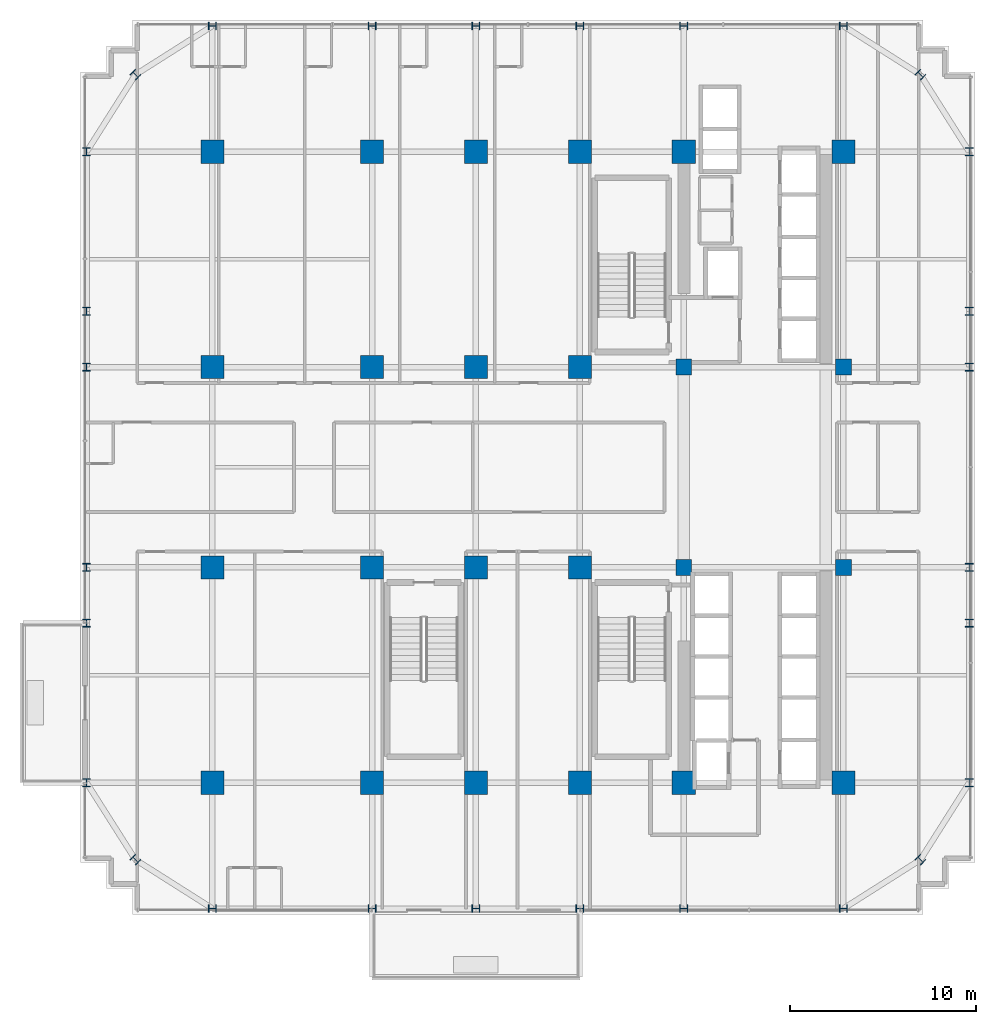
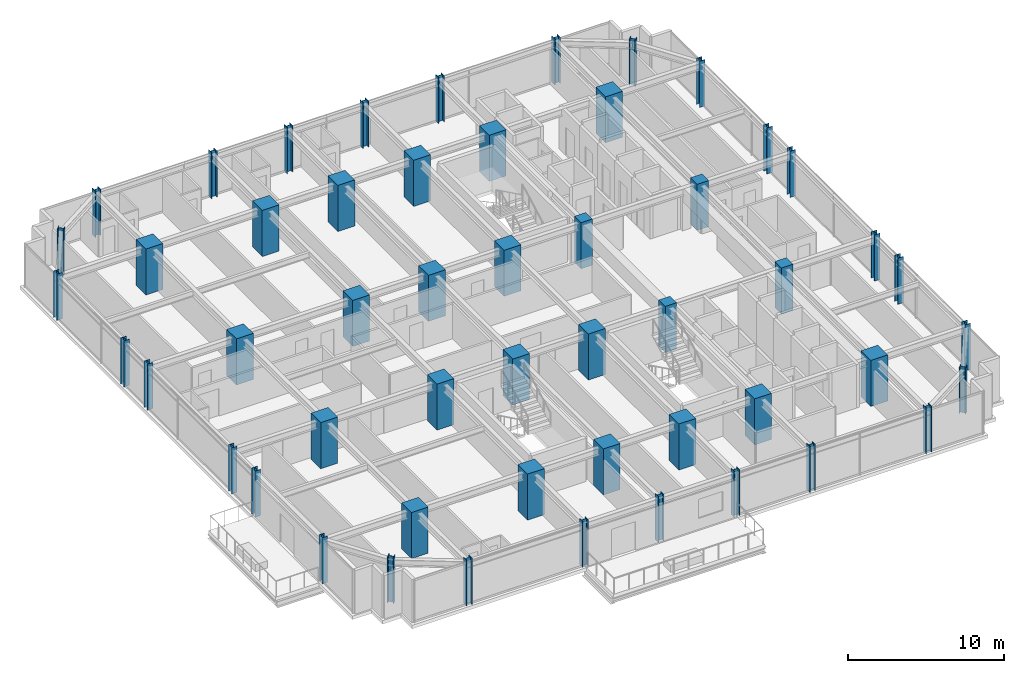
# One storey, part 1 of 31: 52 columns.
"""IFC4 building model written with IfcOpenShell, lengths in metres."""

from ifc_helpers import new_model, si_unit, direction, frame, origin, origin_2d, place, context, subcontext, project, spatial, rectangle, i_section, extrude, source, transform, mapped, material, material_profile, profile_set, type_object, element, save


model = new_model("IFC4")

# Units and contexts
model_context = context("Model", 3, precision=1e-05, world=origin(), true_north=direction((0.0, 1.0)))
body_context = subcontext(model_context, "Body", "Model", "MODEL_VIEW")
ifc_project = project(units=[si_unit("LENGTHUNIT", "METRE"), si_unit("AREAUNIT", "SQUARE_METRE"), si_unit("VOLUMEUNIT", "CUBIC_METRE"), si_unit("PLANEANGLEUNIT", "RADIAN"), si_unit("MASSUNIT", "GRAM", prefix="KILO")], contexts=[model_context])

# Site, building, storey
site_placement = place(None, origin())
site = spatial("IfcSite", under=ifc_project, at=site_placement, CompositionType="ELEMENT")
building_placement = place(site_placement, origin())
building = spatial("IfcBuilding", under=site, at=building_placement, Name="Nahalor Promenade Grand Hotel", CompositionType="ELEMENT")
storey_placement = place(building_placement, frame((0.0, 0.0, 95.60009765625)))
storey = spatial("IfcBuildingStorey", under=building, at=storey_placement, Name="L23", CompositionType="ELEMENT", Elevation=95.60009765625)

# Columns
ifc_material_1 = material(Name="Concrete B-70 (C60/75)", Category="concrete")
ifc_material_profile_1 = material_profile(ifc_material_1, rectangle(XDim=0.85, YDim=0.85, at=origin_2d()), Name="RC 850x850")
ifc_profile_set_1 = profile_set([ifc_material_profile_1], Name="Concrete B-70 (C60/75)")
column_type_1 = type_object("IfcColumnType", Name="Col-Pilaster-850", PredefinedType="PILASTER", material=ifc_profile_set_1)
shared_shape_1 = source(origin(), body_context, "Body", "SweptSolid", [
    extrude(rectangle(XDim=0.85, YDim=0.85, at=origin_2d()), origin(), (0.0, 0.0, 1.0), 3.60498046875),
])
for number, where, z_axis, x_axis, name in (
    (1, (8.39990234375, -5.39990234375, 0.0), (0.0, 0.0, 1.0), (1.0, 0.0, 0.0), "COL-L23-I41"),
    (2, (8.39990234375, 5.39990234375, 0.0), (0.0, 0.0, 1.0), (1.0, 0.0, 0.0), "COL-L23-I42"),
    (3, (17.0, -5.39990234375, 0.0), (0.0, 0.0, 1.0), (1.0, 0.0, 0.0), "COL-L23-I51"),
    (4, (17.0, 5.39990234375, 0.0), (0.0, 0.0, 1.0), (1.0, 0.0, 0.0), "COL-L23-I52"),
):
    element("IfcColumn", number, at=place(storey_placement, frame(where, z_axis=z_axis, x_axis=x_axis)), inside=storey, type_object=column_type_1, Name=name, PredefinedType="PILASTER", context=body_context, shape_type="MappedRepresentation", body=[
        mapped(shared_shape_1, transform((0.0, 0.0, 0.0), scale=1.0)),
    ])
ifc_material_2 = material(Name="Concrete B-60 (C50/60)", Category="concrete")
ifc_material_profile_2 = material_profile(ifc_material_2, rectangle(XDim=1.25, YDim=1.25, at=origin_2d()), Name="RC 1250x1250")
ifc_profile_set_2 = profile_set([ifc_material_profile_2], Name="Concrete B-60 (C50/60)")
column_type_2 = type_object("IfcColumnType", Name="Col-RC-1250", PredefinedType="COLUMN", material=ifc_profile_set_2)
shared_shape_2 = source(origin(), body_context, "Body", "SweptSolid", [
    extrude(rectangle(XDim=1.25, YDim=1.25, at=origin_2d()), origin(), (0.0, 0.0, 1.0), 3.60498046875),
])
for number, where, z_axis, x_axis, name in (
    (5, (-17.0, -17.0, 0.0), (0.0, 0.0, 1.0), (1.0, 0.0, 0.0), "COL-L23-I00"),
    (6, (-17.0, -5.39990234375, 0.0), (0.0, 0.0, 1.0), (1.0, 0.0, 0.0), "COL-L23-I01"),
    (7, (-17.0, 5.39990234375, 0.0), (0.0, 0.0, 1.0), (1.0, 0.0, 0.0), "COL-L23-I02"),
    (8, (-17.0, 17.0, 0.0), (0.0, 0.0, 1.0), (1.0, 0.0, 0.0), "COL-L23-I03"),
    (9, (-8.39990234375, -17.0, 0.0), (0.0, 0.0, 1.0), (1.0, 0.0, 0.0), "COL-L23-I10"),
    (10, (-8.39990234375, -5.39990234375, 0.0), (0.0, 0.0, 1.0), (1.0, 0.0, 0.0), "COL-L23-I11"),
    (11, (-8.39990234375, 5.39990234375, 0.0), (0.0, 0.0, 1.0), (1.0, 0.0, 0.0), "COL-L23-I12"),
    (12, (-8.39990234375, 17.0, 0.0), (0.0, 0.0, 1.0), (1.0, 0.0, 0.0), "COL-L23-I13"),
    (13, (-2.800048828125, -17.0, 0.0), (0.0, 0.0, 1.0), (1.0, 0.0, 0.0), "COL-L23-I20"),
    (14, (-2.800048828125, -5.39990234375, 0.0), (0.0, 0.0, 1.0), (1.0, 0.0, 0.0), "COL-L23-I21"),
    (15, (-2.800048828125, 5.39990234375, 0.0), (0.0, 0.0, 1.0), (1.0, 0.0, 0.0), "COL-L23-I22"),
    (16, (-2.800048828125, 17.0, 0.0), (0.0, 0.0, 1.0), (1.0, 0.0, 0.0), "COL-L23-I23"),
    (17, (2.800048828125, -17.0, 0.0), (0.0, 0.0, 1.0), (1.0, 0.0, 0.0), "COL-L23-I30"),
    (18, (2.800048828125, -5.39990234375, 0.0), (0.0, 0.0, 1.0), (1.0, 0.0, 0.0), "COL-L23-I31"),
    (19, (2.800048828125, 5.39990234375, 0.0), (0.0, 0.0, 1.0), (1.0, 0.0, 0.0), "COL-L23-I32"),
    (20, (2.800048828125, 17.0, 0.0), (0.0, 0.0, 1.0), (1.0, 0.0, 0.0), "COL-L23-I33"),
    (21, (8.39990234375, -17.0, 0.0), (0.0, 0.0, 1.0), (1.0, 0.0, 0.0), "COL-L23-I40"),
    (22, (8.39990234375, 17.0, 0.0), (0.0, 0.0, 1.0), (1.0, 0.0, 0.0), "COL-L23-I43"),
    (23, (17.0, -17.0, 0.0), (0.0, 0.0, 1.0), (1.0, 0.0, 0.0), "COL-L23-I50"),
    (24, (17.0, 17.0, 0.0), (0.0, 0.0, 1.0), (1.0, 0.0, 0.0), "COL-L23-I53"),
):
    element("IfcColumn", number, at=place(storey_placement, frame(where, z_axis=z_axis, x_axis=x_axis)), inside=storey, type_object=column_type_2, Name=name, PredefinedType="COLUMN", context=body_context, shape_type="MappedRepresentation", body=[
        mapped(shared_shape_2, transform((0.0, 0.0, 0.0), scale=1.0)),
    ])
ifc_material_3 = material(Name="Steel S355J2", Category="steel")
ifc_material_profile_3 = material_profile(ifc_material_3, i_section(OverallWidth=0.409, OverallDepth=0.43, WebThickness=0.0208, FlangeThickness=0.0335, at=origin_2d()), Name="HD 400x421")
ifc_profile_set_3 = profile_set([ifc_material_profile_3], Name="Steel S355J2")
column_type_3 = type_object("IfcColumnType", Name="Col-Steel-HD421", PredefinedType="COLUMN", material=ifc_profile_set_3)
shared_shape_3 = source(origin(), body_context, "Body", "SweptSolid", [
    extrude(i_section(OverallWidth=0.409, OverallDepth=0.43, WebThickness=0.0208, FlangeThickness=0.0335, at=origin_2d()), origin(), (0.0, 0.0, 1.0), 3.60498046875),
])
for number, where, z_axis, x_axis, name in (
    (25, (-23.780029296875, -17.0, 0.0), (0.0, 0.0, 1.0), (1.0, 0.0, 0.0), "COL-L23-PW-W0"),
    (26, (23.780029296875, -17.0, 0.0), (0.0, 0.0, 1.0), (1.0, 0.0, 0.0), "COL-L23-PW-E0"),
    (27, (-23.780029296875, -8.39990234375, 0.0), (0.0, 0.0, 1.0), (1.0, 0.0, 0.0), "COL-L23-PW-W1"),
    (28, (23.780029296875, -8.39990234375, 0.0), (0.0, 0.0, 1.0), (1.0, 0.0, 0.0), "COL-L23-PW-E1"),
    (29, (-23.780029296875, -5.39990234375, 0.0), (0.0, 0.0, 1.0), (1.0, 0.0, 0.0), "COL-L23-PW-W2"),
    (30, (23.780029296875, -5.39990234375, 0.0), (0.0, 0.0, 1.0), (1.0, 0.0, 0.0), "COL-L23-PW-E2"),
    (31, (-23.780029296875, 5.39990234375, 0.0), (0.0, 0.0, 1.0), (1.0, 0.0, 0.0), "COL-L23-PW-W3"),
    (32, (23.780029296875, 5.39990234375, 0.0), (0.0, 0.0, 1.0), (1.0, 0.0, 0.0), "COL-L23-PW-E3"),
    (33, (-23.780029296875, 8.39990234375, 0.0), (0.0, 0.0, 1.0), (1.0, 0.0, 0.0), "COL-L23-PW-W4"),
    (34, (23.780029296875, 8.39990234375, 0.0), (0.0, 0.0, 1.0), (1.0, 0.0, 0.0), "COL-L23-PW-E4"),
    (35, (-23.780029296875, 17.0, 0.0), (0.0, 0.0, 1.0), (1.0, 0.0, 0.0), "COL-L23-PW-W5"),
    (36, (23.780029296875, 17.0, 0.0), (0.0, 0.0, 1.0), (1.0, 0.0, 0.0), "COL-L23-PW-E5"),
    (37, (-17.0, -23.780029296875, 0.0), (0.0, 0.0, 1.0), (0.0, 1.0, 0.0), "COL-L23-PN-S0"),
    (38, (-17.0, 23.780029296875, 0.0), (0.0, 0.0, 1.0), (0.0, 1.0, 0.0), "COL-L23-PN-N0"),
    (39, (-8.39990234375, -23.780029296875, 0.0), (0.0, 0.0, 1.0), (0.0, 1.0, 0.0), "COL-L23-PN-S1"),
    (40, (-8.39990234375, 23.780029296875, 0.0), (0.0, 0.0, 1.0), (0.0, 1.0, 0.0), "COL-L23-PN-N1"),
    (41, (-2.800048828125, -23.780029296875, 0.0), (0.0, 0.0, 1.0), (0.0, 1.0, 0.0), "COL-L23-PN-S2"),
    (42, (-2.800048828125, 23.780029296875, 0.0), (0.0, 0.0, 1.0), (0.0, 1.0, 0.0), "COL-L23-PN-N2"),
    (43, (2.800048828125, -23.780029296875, 0.0), (0.0, 0.0, 1.0), (0.0, 1.0, 0.0), "COL-L23-PN-S3"),
    (44, (2.800048828125, 23.780029296875, 0.0), (0.0, 0.0, 1.0), (0.0, 1.0, 0.0), "COL-L23-PN-N3"),
    (45, (8.39990234375, -23.780029296875, 0.0), (0.0, 0.0, 1.0), (0.0, 1.0, 0.0), "COL-L23-PN-S4"),
    (46, (8.39990234375, 23.780029296875, 0.0), (0.0, 0.0, 1.0), (0.0, 1.0, 0.0), "COL-L23-PN-N4"),
    (47, (17.0, -23.780029296875, 0.0), (0.0, 0.0, 1.0), (0.0, 1.0, 0.0), "COL-L23-PN-S5"),
    (48, (17.0, 23.780029296875, 0.0), (0.0, 0.0, 1.0), (0.0, 1.0, 0.0), "COL-L23-PN-N5"),
    (49, (-21.14990234375, -21.14990234375, 0.0), (0.0, 0.0, 1.0), (0.707106781187, 0.707106781187, 0.0), "COL-L23-CRN-SW"),
    (50, (-21.14990234375, 21.14990234375, 0.0), (0.0, 0.0, 1.0), (0.707106781187, 0.707106781187, 0.0), "COL-L23-CRN-NW"),
    (51, (21.14990234375, -21.14990234375, 0.0), (0.0, 0.0, 1.0), (0.707106781187, 0.707106781187, 0.0), "COL-L23-CRN-SE"),
    (52, (21.14990234375, 21.14990234375, 0.0), (0.0, 0.0, 1.0), (0.707106781187, 0.707106781187, 0.0), "COL-L23-CRN-NE"),
):
    element("IfcColumn", number, at=place(storey_placement, frame(where, z_axis=z_axis, x_axis=x_axis)), inside=storey, type_object=column_type_3, Name=name, PredefinedType="COLUMN", context=body_context, shape_type="MappedRepresentation", body=[
        mapped(shared_shape_3, transform((0.0, 0.0, 0.0), scale=1.0)),
    ])

save(model, "model.ifc")
